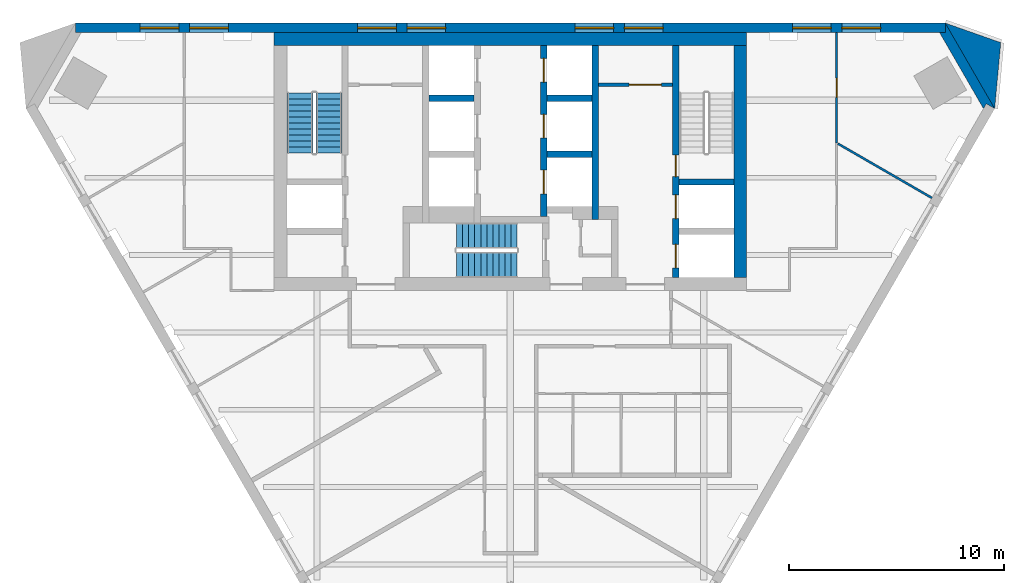
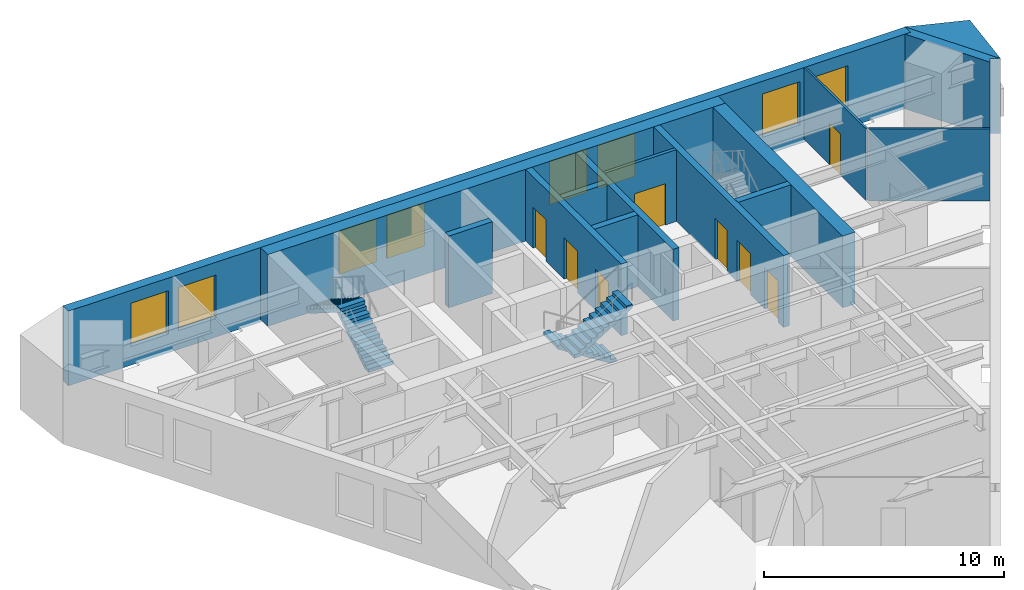
# One storey, part 5 of 7: 15 walls, 8 doors, 8 windows, 4 stair flights, 16 openings, 2 elements without a shape of their own.
"""IFC4 building model written with IfcOpenShell, lengths in metres."""

from ifc_helpers import new_model, si_unit, direction, frame, frame_2d, origin, place, context, subcontext, project, spatial, polyline, rectangle, outline, extrude, material, layer, layer_set, type_object, element, fill, aggregate, save


model = new_model("IFC4")

# Units and contexts
model_context = context("Model", 3, precision=1e-05, world=origin(), true_north=direction((0.0, 1.0)))
body_context = subcontext(model_context, "Body", "Model", "MODEL_VIEW")
ifc_project = project(units=[si_unit("LENGTHUNIT", "METRE"), si_unit("AREAUNIT", "SQUARE_METRE"), si_unit("VOLUMEUNIT", "CUBIC_METRE"), si_unit("PLANEANGLEUNIT", "RADIAN"), si_unit("MASSUNIT", "GRAM", prefix="KILO")], contexts=[model_context])

# Site, building, storey
site_placement = place(None, origin())
site = spatial("IfcSite", under=ifc_project, at=site_placement, CompositionType="ELEMENT")
building_placement = place(site_placement, origin())
building = spatial("IfcBuilding", under=site, at=building_placement, Name="Aloe Facet Convention Tower", CompositionType="ELEMENT")
storey_placement = place(building_placement, frame((0.0, 0.0, 171.5)))
storey = spatial("IfcBuildingStorey", under=building, at=storey_placement, Name="L43", CompositionType="ELEMENT", Elevation=171.5)

# Wall, opening, door
ifc_material_1 = material(Name="Concrete blockwork partition", Category="masonry")
ifc_layer_1 = layer(ifc_material_1, 0.14990234375)
ifc_layer_set_1 = layer_set([ifc_layer_1], Name="CR-W-PART150")
wall_type_1 = type_object("IfcWallType", Name="CR-W-PART150", PredefinedType="PARTITIONING", material=ifc_layer_set_1)
wall_1_placement = place(storey_placement, frame((84.10009765625, 132.125, 0.0), z_axis=(0.0, 0.0, 1.0), x_axis=(1.0, 0.0, 0.0)))
wall_1 = element("IfcWall", 1, at=wall_1_placement, inside=storey, type_object=wall_type_1, Name="Core partition L43-025", PredefinedType="PARTITIONING", context=body_context, shape_type="SweptSolid", body=[
    extrude(rectangle(XDim=3.449951171875, YDim=0.14990234375, at=frame_2d((1.72509765625, 0.0))), origin(), (0.0, 0.0, 1.0), 3.64990234375),
])
opening_1_placement = place(wall_1_placement, frame((1.425048828125, 0.0, 0.0)))
opening_1 = element("IfcOpeningElement", 2, at=opening_1_placement, cuts=wall_1, Name="Opening L43-CD13", PredefinedType="OPENING", context=body_context, shape_type="SweptSolid", body=[
    extrude(rectangle(XDim=1.5, YDim=2.10009765625, at=frame_2d((0.75, 1.050048828125))), frame((0.0, 0.0849609375, 0.0), z_axis=(0.0, -1.0, 0.0), x_axis=(1.0, 0.0, 0.0)), (0.0, 0.0, 1.0), 0.169921875),
])
ifc_material_2 = material(Name="Steel fire-resisting door set FD60", Category="steel")
door_type_1 = type_object("IfcDoorType", Name="CR-D-REFUGE-1500-FD60-DD", OperationType="DOUBLE_DOOR_DOUBLE_SWING", PredefinedType="DOOR", material=ifc_material_2)
door_1_placement = place(opening_1_placement, origin())
door_1 = element("IfcDoor", 3, at=door_1_placement, inside=storey, type_object=door_type_1, Name="Core door L43-CD13", OperationType="DOUBLE_DOOR_DOUBLE_SWING", OverallHeight=2.10009765625, OverallWidth=1.5, PredefinedType="DOOR", context=body_context, shape_type="SweptSolid", body=[
    extrude(rectangle(XDim=1.5, YDim=2.10009765625, at=frame_2d((0.75, 1.050048828125))), frame((0.0, 0.02490234375, 0.0), z_axis=(0.0, -1.0, 0.0), x_axis=(1.0, 0.0, 0.0)), (0.0, 0.0, 1.0), 0.050048828125),
])
fill(opening_1, door_1)

# Wall
ifc_material_3 = material(Name="Concrete C60/75", Category="concrete")
ifc_layer_2 = layer(ifc_material_3, 0.300048828125)
ifc_layer_set_2 = layer_set([ifc_layer_2], Name="CR-W-RC300-C6075")
wall_type_2 = type_object("IfcWallType", Name="CR-W-RC300-C6075", PredefinedType="SOLIDWALL", material=ifc_layer_set_2)
wall_2_placement = place(storey_placement, frame((76.199951171875, 131.5, 0.0), z_axis=(0.0, 0.0, 1.0), x_axis=(1.0, 0.0, 0.0)))
element("IfcWall", 4, at=wall_2_placement, inside=storey, type_object=wall_type_2, Name="Core wall L43-011", PredefinedType="SOLIDWALL", context=body_context, shape_type="SweptSolid", body=[
    extrude(rectangle(XDim=2.10009765625, YDim=0.300048828125, at=frame_2d((1.050048828125, 0.0))), origin(), (0.0, 0.0, 1.0), 3.64990234375),
])

# Wall, openings, doors
wall_3_placement = place(storey_placement, frame((81.550048828125, 133.949951171875, 0.0), z_axis=(0.0, 0.0, 1.0), x_axis=(0.0, -1.0, 0.0)))
wall_3 = element("IfcWall", 5, at=wall_3_placement, inside=storey, type_object=wall_type_2, Name="Core wall L43-016", PredefinedType="SOLIDWALL", context=body_context, shape_type="SweptSolid", body=[
    extrude(rectangle(XDim=7.949951171875, YDim=0.300048828125, at=frame_2d((3.97509765625, 0.0))), origin(), (0.0, 0.0, 1.0), 3.64990234375),
])
opening_2_placement = place(wall_3_placement, frame((0.60009765625, 0.0, 0.0)))
opening_2 = element("IfcOpeningElement", 6, at=opening_2_placement, cuts=wall_3, Name="Opening LD-B4-L43", PredefinedType="OPENING", context=body_context, shape_type="SweptSolid", body=[
    extrude(rectangle(XDim=1.10009765625, YDim=2.10009765625, at=frame_2d((0.550048828125, 1.050048828125))), frame((0.0, 0.16015625, 0.0), z_axis=(0.0, -1.0, 0.0), x_axis=(1.0, 0.0, 0.0)), (0.0, 0.0, 1.0), 0.320068359375),
])
opening_3_placement = place(wall_3_placement, frame((3.199951171875, 0.0, 0.0)))
opening_3 = element("IfcOpeningElement", 7, at=opening_3_placement, cuts=wall_3, Name="Opening LD-B5-L43", PredefinedType="OPENING", context=body_context, shape_type="SweptSolid", body=[
    extrude(rectangle(XDim=1.10009765625, YDim=2.10009765625, at=frame_2d((0.550048828125, 1.050048828125))), frame((0.0, 0.16015625, 0.0), z_axis=(0.0, -1.0, 0.0), x_axis=(1.0, 0.0, 0.0)), (0.0, 0.0, 1.0), 0.320068359375),
])
opening_4_placement = place(wall_3_placement, frame((5.800048828125, 0.0, 0.0)))
opening_4 = element("IfcOpeningElement", 8, at=opening_4_placement, cuts=wall_3, Name="Opening LD-B6-L43", PredefinedType="OPENING", context=body_context, shape_type="SweptSolid", body=[
    extrude(rectangle(XDim=1.10009765625, YDim=2.10009765625, at=frame_2d((0.550048828125, 1.050048828125))), frame((0.0, 0.16015625, 0.0), z_axis=(0.0, -1.0, 0.0), x_axis=(1.0, 0.0, 0.0)), (0.0, 0.0, 1.0), 0.320068359375),
])
ifc_material_4 = material(Name="Stainless steel sliding landing door", Category="steel")
door_type_2 = type_object("IfcDoorType", Name="CR-LD-1100-FD60-_LEFT", OperationType="SLIDING_TO_LEFT", PredefinedType="DOOR", material=ifc_material_4)
door_2_placement = place(opening_2_placement, origin())
door_2 = element("IfcDoor", 9, at=door_2_placement, inside=storey, type_object=door_type_2, Name="Landing door B4 L43", OperationType="SLIDING_TO_LEFT", OverallHeight=2.10009765625, OverallWidth=1.10009765625, PredefinedType="DOOR", context=body_context, shape_type="SweptSolid", body=[
    extrude(rectangle(XDim=1.10009765625, YDim=2.10009765625, at=frame_2d((0.550048828125, 1.050048828125))), frame((0.0, 0.02490234375, 0.0), z_axis=(0.0, -1.0, 0.0), x_axis=(1.0, 0.0, 0.0)), (0.0, 0.0, 1.0), 0.050048828125),
])
fill(opening_2, door_2)
door_3_placement = place(opening_3_placement, origin())
door_3 = element("IfcDoor", 10, at=door_3_placement, inside=storey, type_object=door_type_2, Name="Landing door B5 L43", OperationType="SLIDING_TO_LEFT", OverallHeight=2.10009765625, OverallWidth=1.10009765625, PredefinedType="DOOR", context=body_context, shape_type="SweptSolid", body=[
    extrude(rectangle(XDim=1.10009765625, YDim=2.10009765625, at=frame_2d((0.550048828125, 1.050048828125))), frame((0.0, 0.02490234375, 0.0), z_axis=(0.0, -1.0, 0.0), x_axis=(1.0, 0.0, 0.0)), (0.0, 0.0, 1.0), 0.050048828125),
])
fill(opening_3, door_3)
door_4_placement = place(opening_4_placement, origin())
door_4 = element("IfcDoor", 11, at=door_4_placement, inside=storey, type_object=door_type_2, Name="Landing door B6 L43", OperationType="SLIDING_TO_LEFT", OverallHeight=2.10009765625, OverallWidth=1.10009765625, PredefinedType="DOOR", context=body_context, shape_type="SweptSolid", body=[
    extrude(rectangle(XDim=1.10009765625, YDim=2.10009765625, at=frame_2d((0.550048828125, 1.050048828125))), frame((0.0, 0.02490234375, 0.0), z_axis=(0.0, -1.0, 0.0), x_axis=(1.0, 0.0, 0.0)), (0.0, 0.0, 1.0), 0.050048828125),
])
fill(opening_4, door_4)

# Walls
for number, where, z_axis, x_axis, name in (
    (12, (81.699951171875, 131.5, 0.0), (0.0, 0.0, 1.0), (1.0, 0.0, 0.0), "Core wall L43-018"),
    (13, (81.699951171875, 128.89990234375, 0.0), (0.0, 0.0, 1.0), (1.0, 0.0, 0.0), "Core wall L43-019"),
):
    element("IfcWall", number, at=place(storey_placement, frame(where, z_axis=z_axis, x_axis=x_axis)), inside=storey, type_object=wall_type_2, Name=name, PredefinedType="SOLIDWALL", context=body_context, shape_type="SweptSolid", body=[
        extrude(rectangle(XDim=2.10009765625, YDim=0.300048828125, at=frame_2d((1.050048828125, 0.0))), origin(), (0.0, 0.0, 1.0), 3.64990234375),
    ])
wall_4_placement = place(storey_placement, frame((83.949951171875, 133.949951171875, 0.0), z_axis=(0.0, 0.0, 1.0), x_axis=(0.0, -1.0, 0.0)))
element("IfcWall", 14, at=wall_4_placement, inside=storey, type_object=wall_type_2, Name="Core wall L43-024", PredefinedType="SOLIDWALL", context=body_context, shape_type="SweptSolid", body=[
    extrude(rectangle(XDim=8.099853515625, YDim=0.300048828125, at=frame_2d((4.0498046875, 0.0))), origin(), (0.0, 0.0, 1.0), 3.64990234375),
])

# Wall, openings, doors
wall_5_placement = place(storey_placement, frame((87.699951171875, 133.949951171875, 0.0), z_axis=(0.0, 0.0, 1.0), x_axis=(0.0, -1.0, 0.0)))
wall_5 = element("IfcWall", 15, at=wall_5_placement, inside=storey, type_object=wall_type_2, Name="Core wall L43-028", PredefinedType="SOLIDWALL", context=body_context, shape_type="SweptSolid", body=[
    extrude(rectangle(XDim=10.800048828125, YDim=0.300048828125, at=frame_2d((5.39990234375, 0.0))), origin(), (0.0, 0.0, 1.0), 3.64990234375),
])
opening_5_placement = place(wall_5_placement, frame((6.949951171875, 0.0, 0.0)))
opening_5 = element("IfcOpeningElement", 16, at=opening_5_placement, cuts=wall_5, Name="Opening LD-FF2-L43", PredefinedType="OPENING", context=body_context, shape_type="SweptSolid", body=[
    extrude(rectangle(XDim=1.10009765625, YDim=2.10009765625, at=frame_2d((0.550048828125, 1.050048828125))), frame((0.0, 0.16015625, 0.0), z_axis=(0.0, -1.0, 0.0), x_axis=(1.0, 0.0, 0.0)), (0.0, 0.0, 1.0), 0.320068359375),
])
opening_6_placement = place(wall_5_placement, frame((5.10009765625, 0.0, 0.0)))
opening_6 = element("IfcOpeningElement", 17, at=opening_6_placement, cuts=wall_5, Name="Opening L43-CD17", PredefinedType="OPENING", context=body_context, shape_type="SweptSolid", body=[
    extrude(rectangle(XDim=1.0, YDim=2.10009765625, at=frame_2d((0.5, 1.050048828125))), frame((0.0, 0.16015625, 0.0), z_axis=(0.0, -1.0, 0.0), x_axis=(1.0, 0.0, 0.0)), (0.0, 0.0, 1.0), 0.320068359375),
])
opening_7_placement = place(wall_5_placement, frame((9.25, 0.0, 0.0)))
opening_7 = element("IfcOpeningElement", 18, at=opening_7_placement, cuts=wall_5, Name="Opening LD-SV1-L43", PredefinedType="OPENING", context=body_context, shape_type="SweptSolid", body=[
    extrude(rectangle(XDim=1.10009765625, YDim=2.10009765625, at=frame_2d((0.550048828125, 1.050048828125))), frame((0.0, 0.16015625, 0.0), z_axis=(0.0, -1.0, 0.0), x_axis=(1.0, 0.0, 0.0)), (0.0, 0.0, 1.0), 0.320068359375),
])
ifc_material_5 = material(Name="Steel fire-resisting door set FD120", Category="steel")
door_type_3 = type_object("IfcDoorType", Name="CR-D-STAIR-1000-FD120-SLEFT", OperationType="SINGLE_SWING_LEFT", PredefinedType="DOOR", material=ifc_material_5)
door_5_placement = place(opening_6_placement, origin())
door_5 = element("IfcDoor", 19, at=door_5_placement, inside=storey, type_object=door_type_3, Name="Core door L43-CD17", OperationType="SINGLE_SWING_LEFT", OverallHeight=2.10009765625, OverallWidth=1.0, PredefinedType="DOOR", context=body_context, shape_type="SweptSolid", body=[
    extrude(rectangle(XDim=1.0, YDim=2.10009765625, at=frame_2d((0.5, 1.050048828125))), frame((0.0, 0.02490234375, 0.0), z_axis=(0.0, -1.0, 0.0), x_axis=(1.0, 0.0, 0.0)), (0.0, 0.0, 1.0), 0.050048828125),
])
fill(opening_6, door_5)
ifc_material_6 = material(Name="Stainless steel sliding landing door", Category="steel")
door_type_4 = type_object("IfcDoorType", Name="CR-LD-1100-FD120-_LEFT", OperationType="SLIDING_TO_LEFT", PredefinedType="DOOR", material=ifc_material_6)
door_6_placement = place(opening_5_placement, origin())
door_6 = element("IfcDoor", 20, at=door_6_placement, inside=storey, type_object=door_type_4, Name="Landing door FF2 L43", OperationType="SLIDING_TO_LEFT", OverallHeight=2.10009765625, OverallWidth=1.10009765625, PredefinedType="DOOR", context=body_context, shape_type="SweptSolid", body=[
    extrude(rectangle(XDim=1.10009765625, YDim=2.10009765625, at=frame_2d((0.550048828125, 1.050048828125))), frame((0.0, 0.02490234375, 0.0), z_axis=(0.0, -1.0, 0.0), x_axis=(1.0, 0.0, 0.0)), (0.0, 0.0, 1.0), 0.050048828125),
])
fill(opening_5, door_6)
door_7_placement = place(opening_7_placement, origin())
door_7 = element("IfcDoor", 21, at=door_7_placement, inside=storey, type_object=door_type_4, Name="Landing door SV1 L43", OperationType="SLIDING_TO_LEFT", OverallHeight=2.10009765625, OverallWidth=1.10009765625, PredefinedType="DOOR", context=body_context, shape_type="SweptSolid", body=[
    extrude(rectangle(XDim=1.10009765625, YDim=2.10009765625, at=frame_2d((0.550048828125, 1.050048828125))), frame((0.0, 0.02490234375, 0.0), z_axis=(0.0, -1.0, 0.0), x_axis=(1.0, 0.0, 0.0)), (0.0, 0.0, 1.0), 0.050048828125),
])
fill(opening_7, door_7)

# Walls
wall_6_placement = place(storey_placement, frame((87.85009765625, 127.60009765625, 0.0), z_axis=(0.0, 0.0, 1.0), x_axis=(1.0, 0.0, 0.0)))
element("IfcWall", 22, at=wall_6_placement, inside=storey, type_object=wall_type_2, Name="Core wall L43-029", PredefinedType="SOLIDWALL", context=body_context, shape_type="SweptSolid", body=[
    extrude(rectangle(XDim=2.5498046875, YDim=0.300048828125, at=frame_2d((1.27490234375, 0.0))), origin(), (0.0, 0.0, 1.0), 3.64990234375),
])
ifc_material_7 = material(Name="Concrete C60/75", Category="concrete")
ifc_layer_3 = layer(ifc_material_7, 0.60009765625)
ifc_layer_set_3 = layer_set([ifc_layer_3], Name="CR-W-RC600-C6075")
wall_type_3 = type_object("IfcWallType", Name="CR-W-RC600-C6075", PredefinedType="SOLIDWALL", material=ifc_layer_set_3)
wall_7_placement = place(storey_placement, frame((69.0, 134.25, 0.0), z_axis=(0.0, 0.0, 1.0), x_axis=(1.0, 0.0, 0.0)))
element("IfcWall", 23, at=wall_7_placement, inside=storey, type_object=wall_type_3, Name="Core wall L43-001", PredefinedType="SOLIDWALL", context=body_context, shape_type="SweptSolid", body=[
    extrude(rectangle(XDim=22.0, YDim=0.60009765625, at=frame_2d((11.0, 0.0))), origin(), (0.0, 0.0, 1.0), 3.64990234375),
])
wall_8_placement = place(storey_placement, frame((90.699951171875, 133.949951171875, 0.0), z_axis=(0.0, 0.0, 1.0), x_axis=(0.0, -1.0, 0.0)))
element("IfcWall", 24, at=wall_8_placement, inside=storey, type_object=wall_type_3, Name="Core wall L43-031", PredefinedType="SOLIDWALL", context=body_context, shape_type="SweptSolid", body=[
    extrude(rectangle(XDim=10.800048828125, YDim=0.60009765625, at=frame_2d((5.39990234375, 0.0))), origin(), (0.0, 0.0, 1.0), 3.64990234375),
])
ifc_material_8 = material(Name="Precast concrete C40/50", Category="concrete")
ifc_layer_4 = layer(ifc_material_8, 0.449951171875)
ifc_layer_set_4 = layer_set([ifc_layer_4], Name="EV-WALL-PIER")
wall_type_4 = type_object("IfcWallType", Name="EV-WALL-PIER", PredefinedType="SOLIDWALL", material=ifc_layer_set_4)
wall_9_placement = place(storey_placement, frame((0.0, 0.0, -0.14990234375)))
element("IfcWall", 25, at=wall_9_placement, inside=storey, type_object=wall_type_4, Name="EP-L43-C", PredefinedType="SOLIDWALL", context=body_context, shape_type="SweptSolid", body=[
    extrude(outline(polyline([(102.54296875, 131.016357421875), (102.1533203125, 131.2412109375), (102.0234375, 131.016357421875), (99.983154296875, 134.550048828125), (100.2431640625, 134.550048828125), (100.2431640625, 135.0), (102.54296875, 131.016357421875)])), origin(), (0.0, 0.0, 1.0), 3.7998046875),
])
ifc_material_9 = material(Name="Precast concrete C40/50", Category="concrete")
ifc_layer_5 = layer(ifc_material_9, 3.947998046875)
ifc_layer_set_5 = layer_set([ifc_layer_5], Name="EV-WALL-SPINE")
wall_type_5 = type_object("IfcWallType", Name="EV-WALL-SPINE", PredefinedType="SOLIDWALL", material=ifc_layer_set_5)
wall_10_placement = place(storey_placement, frame((0.0, 0.0, -0.14990234375)))
element("IfcWall", 26, at=wall_10_placement, inside=storey, type_object=wall_type_5, Name="SP-NE-L43", PredefinedType="SOLIDWALL", context=body_context, shape_type="SweptSolid", body=[
    extrude(outline(polyline([(102.54296875, 131.016357421875), (102.828369140625, 134.08984375), (100.2431640625, 135.0), (102.54296875, 131.016357421875)])), origin(), (0.0, 0.0, 1.0), 3.7998046875),
])

# Wall, openings, windows
ifc_material_10 = material(Name="Precast concrete C40/50", Category="concrete")
ifc_layer_6 = layer(ifc_material_10, 0.449951171875)
ifc_layer_set_6 = layer_set([ifc_layer_6], Name="EV-WALL-STONE")
wall_type_6 = type_object("IfcWallType", Name="EV-WALL-STONE", PredefinedType="SOLIDWALL", material=ifc_layer_set_6)
wall_11_placement = place(storey_placement, frame((100.2431640625, 134.77490234375, -0.14990234375), z_axis=(0.0, 0.0, 1.0), x_axis=(-1.0, 0.0, 0.0)))
wall_11 = element("IfcWall", 27, at=wall_11_placement, inside=storey, type_object=wall_type_6, Name="EW-L43-N01", PredefinedType="SOLIDWALL", context=body_context, shape_type="SweptSolid", body=[
    extrude(outline(polyline([(40.486083984375, 0.0), (40.486083984375, 3.7998046875), (0.0, 3.7998046875), (0.0, 0.0), (40.486083984375, 0.0)])), frame((0.0, 0.22509765625, 0.0), z_axis=(0.0, -1.0, 0.0), x_axis=(1.0, 0.0, 0.0)), (0.0, 0.0, 1.0), 0.449951171875),
])
opening_8_placement = place(wall_11_placement, frame((3.0107421875, 0.0, 0.949951171875)))
opening_8 = element("IfcOpeningElement", 28, at=opening_8_placement, cuts=wall_11, Name="Opening W-L43-N01", PredefinedType="OPENING", context=body_context, shape_type="SweptSolid", body=[
    extrude(rectangle(XDim=1.800048828125, YDim=2.199951171875, at=frame_2d((0.89990234375, 1.10009765625))), frame((0.0, 0.23486328125, 0.0), z_axis=(0.0, -1.0, 0.0), x_axis=(1.0, 0.0, 0.0)), (0.0, 0.0, 1.0), 0.469970703125),
])
opening_9_placement = place(wall_11_placement, frame((5.310791015625, 0.0, 0.949951171875)))
opening_9 = element("IfcOpeningElement", 29, at=opening_9_placement, cuts=wall_11, Name="Opening W-L43-N02", PredefinedType="OPENING", context=body_context, shape_type="SweptSolid", body=[
    extrude(rectangle(XDim=1.800048828125, YDim=2.199951171875, at=frame_2d((0.89990234375, 1.10009765625))), frame((0.0, 0.23486328125, 0.0), z_axis=(0.0, -1.0, 0.0), x_axis=(1.0, 0.0, 0.0)), (0.0, 0.0, 1.0), 0.469970703125),
])
opening_10_placement = place(wall_11_placement, frame((13.13232421875, 0.0, 0.949951171875)))
opening_10 = element("IfcOpeningElement", 30, at=opening_10_placement, cuts=wall_11, Name="Opening W-L43-N03", PredefinedType="OPENING", context=body_context, shape_type="SweptSolid", body=[
    extrude(rectangle(XDim=1.800048828125, YDim=2.199951171875, at=frame_2d((0.89990234375, 1.10009765625))), frame((0.0, 0.23486328125, 0.0), z_axis=(0.0, -1.0, 0.0), x_axis=(1.0, 0.0, 0.0)), (0.0, 0.0, 1.0), 0.469970703125),
])
opening_11_placement = place(wall_11_placement, frame((15.432373046875, 0.0, 0.949951171875)))
opening_11 = element("IfcOpeningElement", 31, at=opening_11_placement, cuts=wall_11, Name="Opening W-L43-N04", PredefinedType="OPENING", context=body_context, shape_type="SweptSolid", body=[
    extrude(rectangle(XDim=1.800048828125, YDim=2.199951171875, at=frame_2d((0.89990234375, 1.10009765625))), frame((0.0, 0.23486328125, 0.0), z_axis=(0.0, -1.0, 0.0), x_axis=(1.0, 0.0, 0.0)), (0.0, 0.0, 1.0), 0.469970703125),
])
opening_12_placement = place(wall_11_placement, frame((23.25390625, 0.0, 0.949951171875)))
opening_12 = element("IfcOpeningElement", 32, at=opening_12_placement, cuts=wall_11, Name="Opening W-L43-N05", PredefinedType="OPENING", context=body_context, shape_type="SweptSolid", body=[
    extrude(rectangle(XDim=1.800048828125, YDim=2.199951171875, at=frame_2d((0.89990234375, 1.10009765625))), frame((0.0, 0.23486328125, 0.0), z_axis=(0.0, -1.0, 0.0), x_axis=(1.0, 0.0, 0.0)), (0.0, 0.0, 1.0), 0.469970703125),
])
opening_13_placement = place(wall_11_placement, frame((25.553955078125, 0.0, 0.949951171875)))
opening_13 = element("IfcOpeningElement", 33, at=opening_13_placement, cuts=wall_11, Name="Opening W-L43-N06", PredefinedType="OPENING", context=body_context, shape_type="SweptSolid", body=[
    extrude(rectangle(XDim=1.800048828125, YDim=2.199951171875, at=frame_2d((0.89990234375, 1.10009765625))), frame((0.0, 0.23486328125, 0.0), z_axis=(0.0, -1.0, 0.0), x_axis=(1.0, 0.0, 0.0)), (0.0, 0.0, 1.0), 0.469970703125),
])
opening_14_placement = place(wall_11_placement, frame((33.37548828125, 0.0, 0.949951171875)))
opening_14 = element("IfcOpeningElement", 34, at=opening_14_placement, cuts=wall_11, Name="Opening W-L43-N07", PredefinedType="OPENING", context=body_context, shape_type="SweptSolid", body=[
    extrude(rectangle(XDim=1.800048828125, YDim=2.199951171875, at=frame_2d((0.89990234375, 1.10009765625))), frame((0.0, 0.23486328125, 0.0), z_axis=(0.0, -1.0, 0.0), x_axis=(1.0, 0.0, 0.0)), (0.0, 0.0, 1.0), 0.469970703125),
])
opening_15_placement = place(wall_11_placement, frame((35.67529296875, 0.0, 0.949951171875)))
opening_15 = element("IfcOpeningElement", 35, at=opening_15_placement, cuts=wall_11, Name="Opening W-L43-N08", PredefinedType="OPENING", context=body_context, shape_type="SweptSolid", body=[
    extrude(rectangle(XDim=1.800048828125, YDim=2.199951171875, at=frame_2d((0.89990234375, 1.10009765625))), frame((0.0, 0.23486328125, 0.0), z_axis=(0.0, -1.0, 0.0), x_axis=(1.0, 0.0, 0.0)), (0.0, 0.0, 1.0), 0.469970703125),
])
ifc_material_11 = material(Name="Aluminium frame, clear double glazing", Category="aluminium")
window_type = type_object("IfcWindowType", Name="EV-WIN-O18", PartitioningType="SINGLE_PANEL", PredefinedType="WINDOW", material=ifc_material_11)
window_1_placement = place(opening_8_placement, origin())
window_1 = element("IfcWindow", 36, at=window_1_placement, inside=storey, type_object=window_type, Name="W-L43-N01", OverallHeight=2.199951171875, OverallWidth=1.800048828125, PartitioningType="SINGLE_PANEL", PredefinedType="WINDOW", context=body_context, shape_type="SweptSolid", body=[
    extrude(rectangle(XDim=1.800048828125, YDim=2.199951171875, at=frame_2d((0.89990234375, 1.10009765625))), frame((0.0, 0.030029296875, 0.0), z_axis=(0.0, -1.0, 0.0), x_axis=(1.0, 0.0, 0.0)), (0.0, 0.0, 1.0), 0.06005859375),
])
fill(opening_8, window_1)
window_2_placement = place(opening_9_placement, origin())
window_2 = element("IfcWindow", 37, at=window_2_placement, inside=storey, type_object=window_type, Name="W-L43-N02", OverallHeight=2.199951171875, OverallWidth=1.800048828125, PartitioningType="SINGLE_PANEL", PredefinedType="WINDOW", context=body_context, shape_type="SweptSolid", body=[
    extrude(rectangle(XDim=1.800048828125, YDim=2.199951171875, at=frame_2d((0.89990234375, 1.10009765625))), frame((0.0, 0.030029296875, 0.0), z_axis=(0.0, -1.0, 0.0), x_axis=(1.0, 0.0, 0.0)), (0.0, 0.0, 1.0), 0.06005859375),
])
fill(opening_9, window_2)
window_3_placement = place(opening_10_placement, origin())
window_3 = element("IfcWindow", 38, at=window_3_placement, inside=storey, type_object=window_type, Name="W-L43-N03", OverallHeight=2.199951171875, OverallWidth=1.800048828125, PartitioningType="SINGLE_PANEL", PredefinedType="WINDOW", context=body_context, shape_type="SweptSolid", body=[
    extrude(rectangle(XDim=1.800048828125, YDim=2.199951171875, at=frame_2d((0.89990234375, 1.10009765625))), frame((0.0, 0.030029296875, 0.0), z_axis=(0.0, -1.0, 0.0), x_axis=(1.0, 0.0, 0.0)), (0.0, 0.0, 1.0), 0.06005859375),
])
fill(opening_10, window_3)
window_4_placement = place(opening_11_placement, origin())
window_4 = element("IfcWindow", 39, at=window_4_placement, inside=storey, type_object=window_type, Name="W-L43-N04", OverallHeight=2.199951171875, OverallWidth=1.800048828125, PartitioningType="SINGLE_PANEL", PredefinedType="WINDOW", context=body_context, shape_type="SweptSolid", body=[
    extrude(rectangle(XDim=1.800048828125, YDim=2.199951171875, at=frame_2d((0.89990234375, 1.10009765625))), frame((0.0, 0.030029296875, 0.0), z_axis=(0.0, -1.0, 0.0), x_axis=(1.0, 0.0, 0.0)), (0.0, 0.0, 1.0), 0.06005859375),
])
fill(opening_11, window_4)
window_5_placement = place(opening_12_placement, origin())
window_5 = element("IfcWindow", 40, at=window_5_placement, inside=storey, type_object=window_type, Name="W-L43-N05", OverallHeight=2.199951171875, OverallWidth=1.800048828125, PartitioningType="SINGLE_PANEL", PredefinedType="WINDOW", context=body_context, shape_type="SweptSolid", body=[
    extrude(rectangle(XDim=1.800048828125, YDim=2.199951171875, at=frame_2d((0.89990234375, 1.10009765625))), frame((0.0, 0.030029296875, 0.0), z_axis=(0.0, -1.0, 0.0), x_axis=(1.0, 0.0, 0.0)), (0.0, 0.0, 1.0), 0.06005859375),
])
fill(opening_12, window_5)
window_6_placement = place(opening_13_placement, origin())
window_6 = element("IfcWindow", 41, at=window_6_placement, inside=storey, type_object=window_type, Name="W-L43-N06", OverallHeight=2.199951171875, OverallWidth=1.800048828125, PartitioningType="SINGLE_PANEL", PredefinedType="WINDOW", context=body_context, shape_type="SweptSolid", body=[
    extrude(rectangle(XDim=1.800048828125, YDim=2.199951171875, at=frame_2d((0.89990234375, 1.10009765625))), frame((0.0, 0.030029296875, 0.0), z_axis=(0.0, -1.0, 0.0), x_axis=(1.0, 0.0, 0.0)), (0.0, 0.0, 1.0), 0.06005859375),
])
fill(opening_13, window_6)
window_7_placement = place(opening_14_placement, origin())
window_7 = element("IfcWindow", 42, at=window_7_placement, inside=storey, type_object=window_type, Name="W-L43-N07", OverallHeight=2.199951171875, OverallWidth=1.800048828125, PartitioningType="SINGLE_PANEL", PredefinedType="WINDOW", context=body_context, shape_type="SweptSolid", body=[
    extrude(rectangle(XDim=1.800048828125, YDim=2.199951171875, at=frame_2d((0.89990234375, 1.10009765625))), frame((0.0, 0.030029296875, 0.0), z_axis=(0.0, -1.0, 0.0), x_axis=(1.0, 0.0, 0.0)), (0.0, 0.0, 1.0), 0.06005859375),
])
fill(opening_14, window_7)
window_8_placement = place(opening_15_placement, origin())
window_8 = element("IfcWindow", 43, at=window_8_placement, inside=storey, type_object=window_type, Name="W-L43-N08", OverallHeight=2.199951171875, OverallWidth=1.800048828125, PartitioningType="SINGLE_PANEL", PredefinedType="WINDOW", context=body_context, shape_type="SweptSolid", body=[
    extrude(rectangle(XDim=1.800048828125, YDim=2.199951171875, at=frame_2d((0.89990234375, 1.10009765625))), frame((0.0, 0.030029296875, 0.0), z_axis=(0.0, -1.0, 0.0), x_axis=(1.0, 0.0, 0.0)), (0.0, 0.0, 1.0), 0.06005859375),
])
fill(opening_15, window_8)

# Wall
ifc_material_12 = material(Name="Gypsum board partition on steel studs", Category="steel")
ifc_layer_7 = layer(ifc_material_12, 0.10009765625)
ifc_layer_set_7 = layer_set([ifc_layer_7], Name="IN-W-PART")
wall_type_7 = type_object("IfcWallType", Name="IN-W-PART", PredefinedType="PARTITIONING", material=ifc_layer_set_7)
wall_12_placement = place(storey_placement, frame((95.242919921875, 129.387451171875, 0.0), z_axis=(0.0, 0.0, 1.0), x_axis=(0.866030444867, -0.499991268487, 0.0)))
element("IfcWall", 44, at=wall_12_placement, inside=storey, type_object=wall_type_7, Name="Partition L43-W046", PredefinedType="PARTITIONING", context=body_context, shape_type="SweptSolid", body=[
    extrude(rectangle(XDim=5.0576171875, YDim=0.10009765625, at=frame_2d((2.52880859375, 0.0))), origin(), (0.0, 0.0, 1.0), 3.64990234375),
])

# Wall, opening, door
wall_13_placement = place(storey_placement, frame((95.182373046875, 129.42236328125, 0.0), z_axis=(0.0, 0.0, 1.0), x_axis=(0.0, 1.0, 0.0)))
wall_13 = element("IfcWall", 45, at=wall_13_placement, inside=storey, type_object=wall_type_7, Name="Partition L43-W049", PredefinedType="PARTITIONING", context=body_context, shape_type="SweptSolid", body=[
    extrude(rectangle(XDim=5.127685546875, YDim=0.10009765625, at=frame_2d((2.56396484375, 0.0))), origin(), (0.0, 0.0, 1.0), 3.64990234375),
])
opening_16_placement = place(wall_13_placement, frame((2.11376953125, 0.0, 0.0)))
opening_16 = element("IfcOpeningElement", 46, at=opening_16_placement, cuts=wall_13, Name="Opening L43-015", PredefinedType="OPENING", context=body_context, shape_type="SweptSolid", body=[
    extrude(rectangle(XDim=0.89990234375, YDim=2.10009765625, at=frame_2d((0.449951171875, 1.050048828125))), frame((0.0, 0.06005859375, 0.0), z_axis=(0.0, -1.0, 0.0), x_axis=(1.0, 0.0, 0.0)), (0.0, 0.0, 1.0), 0.1201171875),
])
ifc_material_13 = material(Name="Timber door", Category="wood")
door_type_5 = type_object("IfcDoorType", Name="IN-OFF-D-ROOM", OperationType="SINGLE_SWING_LEFT", PredefinedType="DOOR", material=ifc_material_13)
door_8_placement = place(opening_16_placement, origin())
door_8 = element("IfcDoor", 47, at=door_8_placement, inside=storey, type_object=door_type_5, Name="Door L43-015", OperationType="SINGLE_SWING_LEFT", OverallHeight=2.10009765625, OverallWidth=0.89990234375, PredefinedType="DOOR", context=body_context, shape_type="SweptSolid", body=[
    extrude(rectangle(XDim=0.89990234375, YDim=2.10009765625, at=frame_2d((0.449951171875, 1.050048828125))), frame((0.0, 0.02490234375, 0.0), z_axis=(0.0, -1.0, 0.0), x_axis=(1.0, 0.0, 0.0)), (0.0, 0.0, 1.0), 0.050048828125),
])
fill(opening_16, door_8)

# Stair, stair flights
ifc_material_14 = material(Name="Concrete C50/60", Category="concrete")
stair_type = type_object("IfcStairType", Name="CR-ST-22R", PredefinedType="HALF_TURN_STAIR", material=ifc_material_14)
stair_1_placement = place(storey_placement, origin())
stair_1 = element("IfcStair", 48, at=stair_1_placement, inside=storey, type_object=stair_type, Name="L43 Protected exit stair ST1", PredefinedType="HALF_TURN_STAIR")
ifc_material_15 = material(Name="Concrete C50/60", Category="concrete")
stair_flight_type = type_object("IfcStairFlightType", Name="CR-SFL-22R", PredefinedType="STRAIGHT", material=ifc_material_15)
stair_flight_1_placement = place(storey_placement, frame((71.550048828125, 128.949951171875, 0.0), z_axis=(0.0, 0.0, 1.0), x_axis=(0.0, 1.0, 0.0)))
stair_flight_1 = element("IfcStairFlight", 49, at=stair_flight_1_placement, type_object=stair_flight_type, Name="ST1 flight 1", NumberOfRisers=11, NumberOfTreads=10, PredefinedType="STRAIGHT", RiserHeight=0.177272727, TreadLength=0.28, context=body_context, shape_type="SweptSolid", body=[
    extrude(outline(polyline([(0.0, 0.0), (0.0, 0.17724609375), (0.280029296875, 0.17724609375), (0.280029296875, 0.3544921875), (0.56005859375, 0.3544921875), (0.56005859375, 0.53173828125), (0.840087890625, 0.53173828125), (0.840087890625, 0.708984375), (1.1201171875, 0.708984375), (1.1201171875, 0.886474609375), (1.39990234375, 0.886474609375), (1.39990234375, 1.063720703125), (1.679931640625, 1.063720703125), (1.679931640625, 1.240966796875), (1.9599609375, 1.240966796875), (1.9599609375, 1.418212890625), (2.239990234375, 1.418212890625), (2.239990234375, 1.595458984375), (2.52001953125, 1.595458984375), (2.52001953125, 1.772705078125), (2.800048828125, 1.772705078125), (2.800048828125, 1.949951171875), (2.800048828125, 1.59521484375), (0.2802734375, 0.0), (0.0, 0.0)])), frame((0.0, 0.60009765625, 0.0), z_axis=(0.0, -1.0, 0.0), x_axis=(1.0, 0.0, 0.0)), (0.0, 0.0, 1.0), 1.199951171875),
])
stair_flight_2_placement = place(storey_placement, frame((70.199951171875, 131.75, 1.949951171875), z_axis=(0.0, 0.0, 1.0), x_axis=(0.0, -1.0, 0.0)))
stair_flight_2 = element("IfcStairFlight", 50, at=stair_flight_2_placement, type_object=stair_flight_type, Name="ST1 flight 2", NumberOfRisers=11, NumberOfTreads=10, PredefinedType="STRAIGHT", RiserHeight=0.177272727, TreadLength=0.28, context=body_context, shape_type="SweptSolid", body=[
    extrude(outline(polyline([(0.0, 0.0), (0.0, 0.17724609375), (0.280029296875, 0.17724609375), (0.280029296875, 0.3544921875), (0.56005859375, 0.3544921875), (0.56005859375, 0.53173828125), (0.840087890625, 0.53173828125), (0.840087890625, 0.708984375), (1.1201171875, 0.708984375), (1.1201171875, 0.886474609375), (1.39990234375, 0.886474609375), (1.39990234375, 1.063720703125), (1.679931640625, 1.063720703125), (1.679931640625, 1.240966796875), (1.9599609375, 1.240966796875), (1.9599609375, 1.418212890625), (2.239990234375, 1.418212890625), (2.239990234375, 1.595458984375), (2.52001953125, 1.595458984375), (2.52001953125, 1.772705078125), (2.800048828125, 1.772705078125), (2.800048828125, 1.949951171875), (2.800048828125, 1.59521484375), (0.2802734375, 0.0), (0.0, 0.0)])), frame((0.0, 0.60009765625, 0.0), z_axis=(0.0, -1.0, 0.0), x_axis=(1.0, 0.0, 0.0)), (0.0, 0.0, 1.0), 1.199951171875),
])
aggregate(stair_1, [stair_flight_1, stair_flight_2])

stair_2_placement = place(storey_placement, origin())
stair_2 = element("IfcStair", 51, at=stair_2_placement, inside=storey, type_object=stair_type, Name="L43 Protected exit stair ST3", PredefinedType="HALF_TURN_STAIR")
stair_flight_3_placement = place(storey_placement, frame((80.300048828125, 125.10009765625, 0.0), z_axis=(0.0, 0.0, 1.0), x_axis=(-1.0, 0.0, 0.0)))
stair_flight_3 = element("IfcStairFlight", 52, at=stair_flight_3_placement, type_object=stair_flight_type, Name="ST3 flight 1", NumberOfRisers=11, NumberOfTreads=10, PredefinedType="STRAIGHT", RiserHeight=0.177272727, TreadLength=0.28, context=body_context, shape_type="SweptSolid", body=[
    extrude(outline(polyline([(0.0, 0.0), (0.0, 0.17724609375), (0.280029296875, 0.17724609375), (0.280029296875, 0.3544921875), (0.56005859375, 0.3544921875), (0.56005859375, 0.53173828125), (0.840087890625, 0.53173828125), (0.840087890625, 0.708984375), (1.1201171875, 0.708984375), (1.1201171875, 0.886474609375), (1.39990234375, 0.886474609375), (1.39990234375, 1.063720703125), (1.679931640625, 1.063720703125), (1.679931640625, 1.240966796875), (1.9599609375, 1.240966796875), (1.9599609375, 1.418212890625), (2.239990234375, 1.418212890625), (2.239990234375, 1.595458984375), (2.52001953125, 1.595458984375), (2.52001953125, 1.772705078125), (2.800048828125, 1.772705078125), (2.800048828125, 1.949951171875), (2.800048828125, 1.59521484375), (0.2802734375, 0.0), (0.0, 0.0)])), frame((0.0, 0.60009765625, 0.0), z_axis=(0.0, -1.0, 0.0), x_axis=(1.0, 0.0, 0.0)), (0.0, 0.0, 1.0), 1.199951171875),
])
stair_flight_4_placement = place(storey_placement, frame((77.5, 123.75, 1.949951171875), z_axis=(0.0, 0.0, 1.0), x_axis=(1.0, 0.0, 0.0)))
stair_flight_4 = element("IfcStairFlight", 53, at=stair_flight_4_placement, type_object=stair_flight_type, Name="ST3 flight 2", NumberOfRisers=11, NumberOfTreads=10, PredefinedType="STRAIGHT", RiserHeight=0.177272727, TreadLength=0.28, context=body_context, shape_type="SweptSolid", body=[
    extrude(outline(polyline([(0.0, 0.0), (0.0, 0.17724609375), (0.280029296875, 0.17724609375), (0.280029296875, 0.3544921875), (0.56005859375, 0.3544921875), (0.56005859375, 0.53173828125), (0.840087890625, 0.53173828125), (0.840087890625, 0.708984375), (1.1201171875, 0.708984375), (1.1201171875, 0.886474609375), (1.39990234375, 0.886474609375), (1.39990234375, 1.063720703125), (1.679931640625, 1.063720703125), (1.679931640625, 1.240966796875), (1.9599609375, 1.240966796875), (1.9599609375, 1.418212890625), (2.239990234375, 1.418212890625), (2.239990234375, 1.595458984375), (2.52001953125, 1.595458984375), (2.52001953125, 1.772705078125), (2.800048828125, 1.772705078125), (2.800048828125, 1.949951171875), (2.800048828125, 1.59521484375), (0.2802734375, 0.0), (0.0, 0.0)])), frame((0.0, 0.60009765625, 0.0), z_axis=(0.0, -1.0, 0.0), x_axis=(1.0, 0.0, 0.0)), (0.0, 0.0, 1.0), 1.199951171875),
])
aggregate(stair_2, [stair_flight_3, stair_flight_4])

save(model, "model.ifc")
